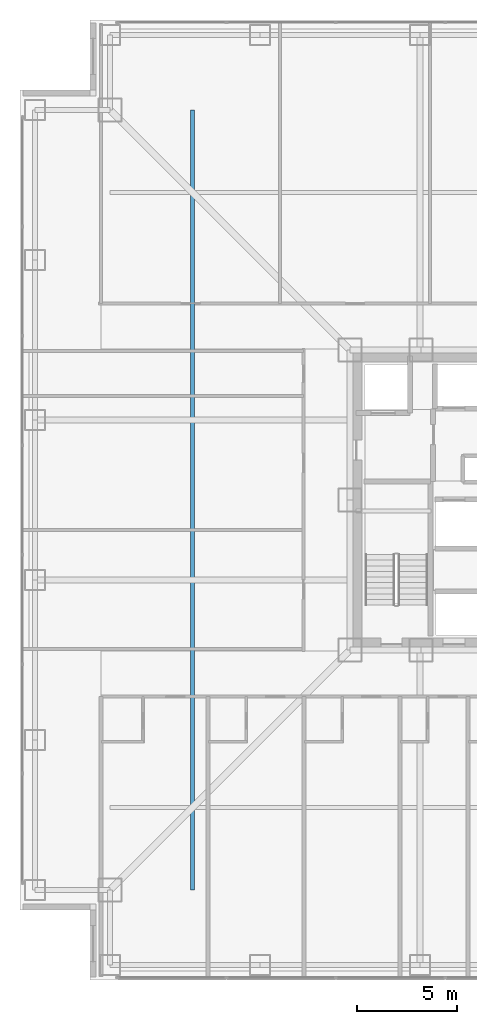
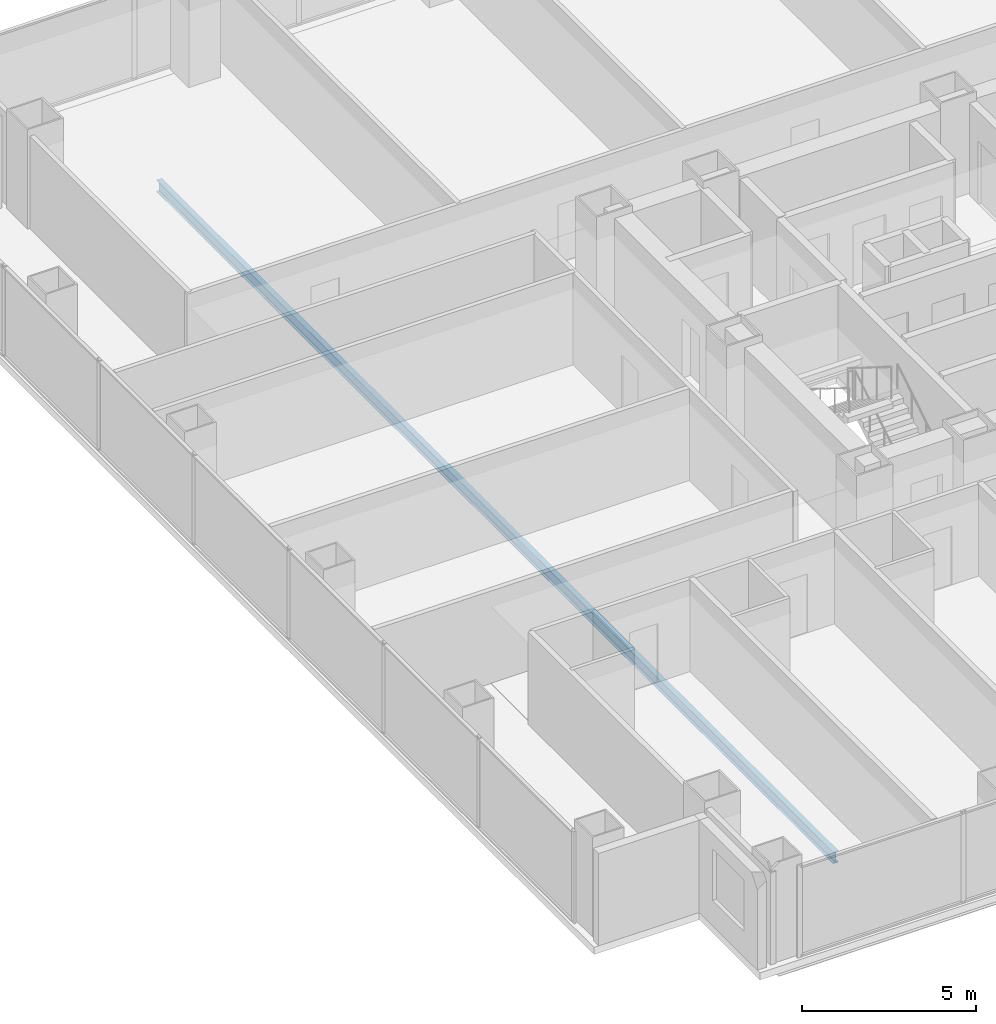
# One storey, part 5 of 20: 1 beam.
"""IFC4 building model written with IfcOpenShell, lengths in metres."""

from ifc_helpers import new_model, si_unit, direction, frame, origin, origin_2d, place, context, subcontext, project, spatial, i_section, extrude, material, material_profile, profile_set, type_object, element, save


model = new_model("IFC4")

# Units and contexts
model_context = context("Model", 3, precision=1e-05, world=origin(), true_north=direction((0.0, 1.0)))
body_context = subcontext(model_context, "Body", "Model", "MODEL_VIEW")
ifc_project = project(units=[si_unit("LENGTHUNIT", "METRE"), si_unit("AREAUNIT", "SQUARE_METRE"), si_unit("VOLUMEUNIT", "CUBIC_METRE"), si_unit("PLANEANGLEUNIT", "RADIAN"), si_unit("MASSUNIT", "GRAM", prefix="KILO")], contexts=[model_context])

# Site, building, storey
site_placement = place(None, origin())
site = spatial("IfcSite", under=ifc_project, at=site_placement, CompositionType="ELEMENT")
building_placement = place(site_placement, origin())
building = spatial("IfcBuilding", under=site, at=building_placement, Name="Trevonay Congress Spire", CompositionType="ELEMENT")
storey_placement = place(building_placement, frame((0.0, 0.0, 62.0)))
storey = spatial("IfcBuildingStorey", under=building, at=storey_placement, Name="L15", CompositionType="ELEMENT", Elevation=62.0)

# Beam
ifc_material = material(Name="Steel ASTM A572 Grade 50", Category="steel")
ifc_material_profile = material_profile(ifc_material, i_section(OverallWidth=0.177978515625, OverallDepth=0.406982421875, WebThickness=0.0078125, FlangeThickness=0.0126953125, FilletRadius=0.012939453125, at=origin_2d()), Name="W410x60")
ifc_profile_set = profile_set([ifc_material_profile], Name="Steel ASTM A572 Grade 50")
beam_type = type_object("IfcBeamType", Name="JS-COMP-W410X60", PredefinedType="JOIST", material=ifc_profile_set)
beam_placement = place(storey_placement, frame((-15.375, -19.5, -0.45361328125), z_axis=(0.0, 1.0, 0.0), x_axis=(-1.0, 0.0, 0.0)))
element("IfcBeam", 1, at=beam_placement, inside=storey, type_object=beam_type, Name="L15 structural beam JS-L15-RING-W", PredefinedType="JOIST", context=body_context, shape_type="SweptSolid", body=[
    extrude(i_section(OverallWidth=0.177978515625, OverallDepth=0.406982421875, WebThickness=0.0078125, FlangeThickness=0.0126953125, FilletRadius=0.012939453125, at=origin_2d()), origin(), (0.0, 0.0, 1.0), 39.0),
])

save(model, "model.ifc")
